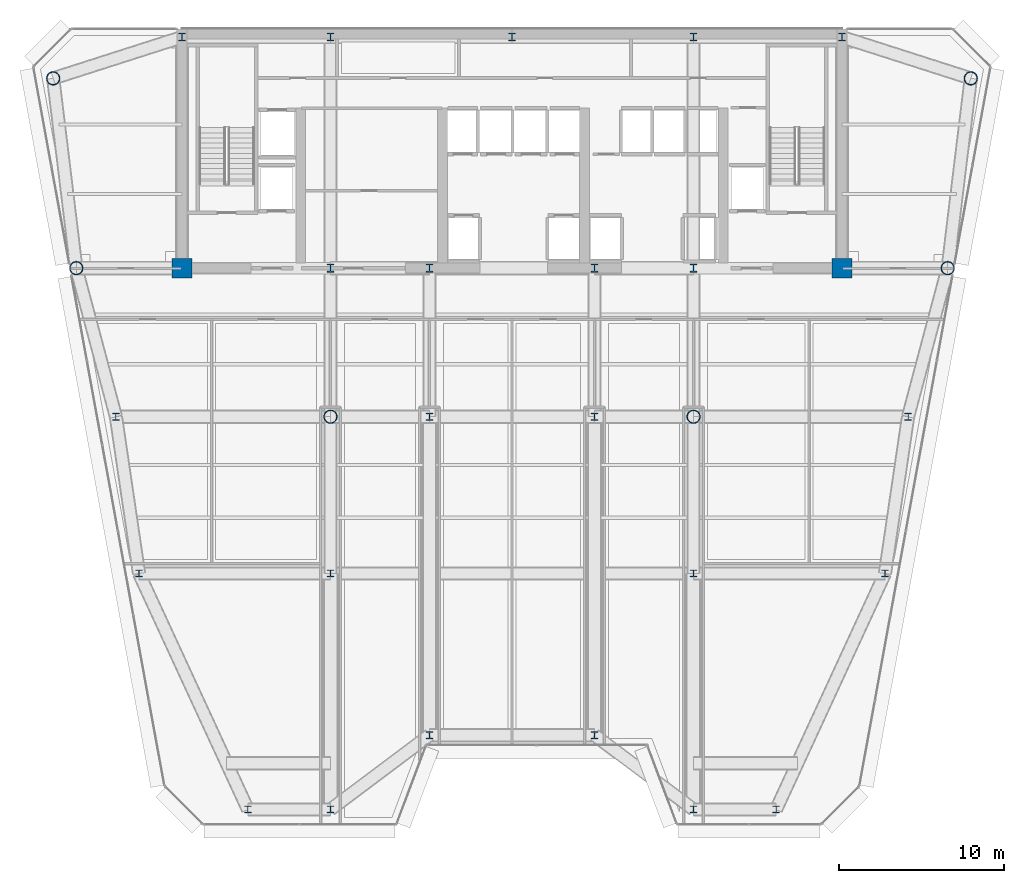
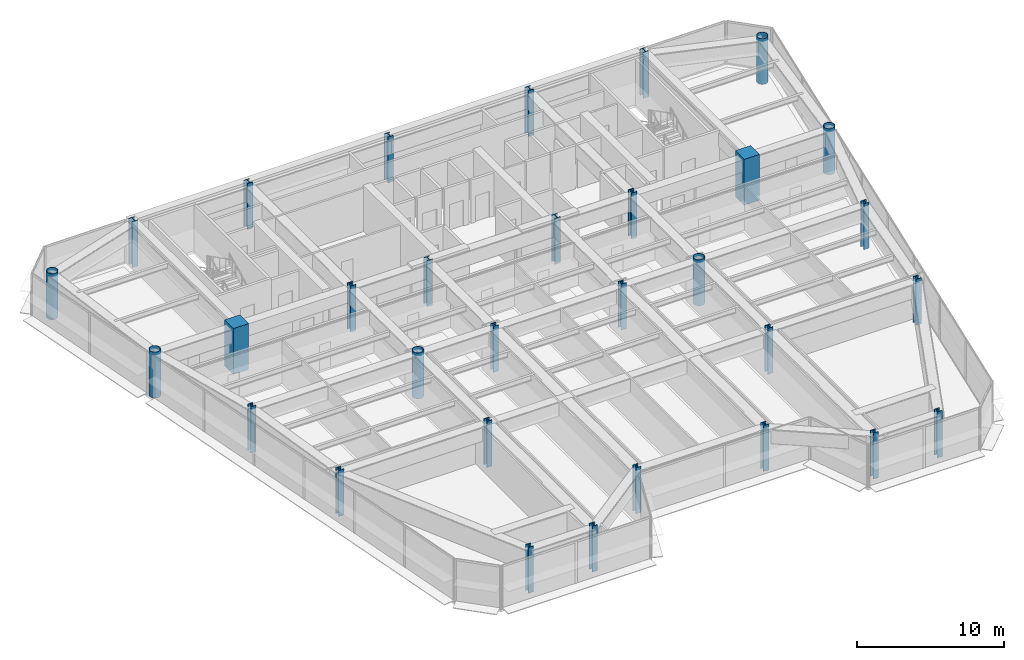
# One storey, part 1 of 17: 31 columns.
"""IFC4 building model written with IfcOpenShell, lengths in metres."""

import ifcopenshell
import ifcopenshell.guid

model = None  # the IFC model being written
_history = None  # IfcOwnerHistory: only IFC2X3 demands one
_inside = {}  # id of a spatial element -> (the spatial element, [elements in it])
_under = {}  # id of a project, library or spatial element -> (it, [spatial elements below it])
_declared = {}  # id of a project -> (the project, [libraries it declares])
_typed = {}  # id of a type object -> (the type object, [elements of that type])
_made_of = {}  # id of a material, layer set ... -> (it, [elements and type objects made of it])


def new_model(schema):
    """Start an empty IFC model of exactly this schema.

    Asked for "IFC4X3", IfcOpenShell would pick the latest addendum, in which some entities
    have other attributes; the version numbers below select the first issue.
    IFC2X3 requires an IfcOwnerHistory on every rooted entity: one is made here for all.
    """
    global model, _history
    if schema == "IFC4X3":
        model = ifcopenshell.file(schema_version=(4, 3, 0, 0))
    else:
        model = ifcopenshell.file(schema=schema)
    _inside.clear()
    _under.clear()
    _declared.clear()
    _typed.clear()
    _made_of.clear()
    _history = None
    if model.schema == "IFC2X3":
        org = make("IfcOrganization", Name="unknown")
        user = make(
            "IfcPersonAndOrganization",
            ThePerson=make("IfcPerson", FamilyName="unknown"),
            TheOrganization=org,
        )
        app = make(
            "IfcApplication",
            ApplicationDeveloper=org,
            Version="unknown",
            ApplicationFullName="unknown",
            ApplicationIdentifier="unknown",
        )
        _history = make(
            "IfcOwnerHistory",
            OwningUser=user,
            OwningApplication=app,
            ChangeAction="ADDED",
            CreationDate=0,
        )
    return model


def make(cls, **values):
    """One entity of the class cls with the attributes given. An attribute that is None is left unset."""
    return model.create_entity(
        cls, **{name: value for name, value in values.items() if value is not None}
    )


def rooted(cls, **values):
    """An entity with a GlobalId (a new one), such as an element, a storey or a relation."""
    return make(cls, GlobalId=ifcopenshell.guid.new(), OwnerHistory=_history, **values)


def si_unit(unit_type, name, prefix=None):
    """IfcSIUnit, for example si_unit("LENGTHUNIT", "METRE", prefix="MILLI")."""
    return make("IfcSIUnit", UnitType=unit_type, Prefix=prefix, Name=name)


def assignment(units):
    """IfcUnitAssignment: the units of a project."""
    return None if units is None else make("IfcUnitAssignment", Units=units)


def point(xyz):
    """IfcCartesianPoint."""
    return None if xyz is None else make("IfcCartesianPoint", Coordinates=xyz)


def direction(xyz):
    """IfcDirection."""
    return None if xyz is None else make("IfcDirection", DirectionRatios=xyz)


def frame(location, z_axis=None, x_axis=None):
    """IfcAxis2Placement3D, a coordinate frame: its origin and axes. An axis left out is left unset."""
    return make(
        "IfcAxis2Placement3D",
        Location=point(location),
        Axis=direction(z_axis),
        RefDirection=direction(x_axis),
    )


def frame_2d(location, x_axis=None):
    """IfcAxis2Placement2D, a coordinate frame in the plane: its origin and x axis."""
    return make(
        "IfcAxis2Placement2D", Location=point(location), RefDirection=direction(x_axis)
    )


def origin():
    """The frame at (0, 0, 0) with its axes left unset."""
    return frame((0.0, 0.0, 0.0))


def origin_2d():
    """The frame at (0, 0) in the plane with its x axis left unset."""
    return frame_2d((0.0, 0.0))


def place(relative_to, where):
    """IfcLocalPlacement: puts the frame where relative to a parent placement (None: the world)."""
    return make(
        "IfcLocalPlacement", PlacementRelTo=relative_to, RelativePlacement=where
    )


def context(
    kind, dimensions, precision=None, world=None, true_north=None, identifier=None
):
    """IfcGeometricRepresentationContext, for example the 3D "Model" context."""
    return make(
        "IfcGeometricRepresentationContext",
        ContextIdentifier=identifier,
        ContextType=kind,
        CoordinateSpaceDimension=dimensions,
        Precision=precision,
        WorldCoordinateSystem=world,
        TrueNorth=true_north,
    )


def subcontext(parent, identifier, kind, view, scale=None):
    """IfcGeometricRepresentationSubContext, for example "Body" below "Model"."""
    return make(
        "IfcGeometricRepresentationSubContext",
        ContextIdentifier=identifier,
        ContextType=kind,
        ParentContext=parent,
        TargetScale=scale,
        TargetView=view,
    )


def project(units=None, contexts=None):
    """IfcProject with its units and contexts."""
    return rooted(
        "IfcProject",
        Name="project",
        RepresentationContexts=contexts,
        UnitsInContext=assignment(units),
    )


def spatial(cls, under=None, at=None, **own):
    """A site, building, storey or space (cls), placed at a placement, below another one or the project."""
    s = rooted(cls, ObjectPlacement=at, **own)
    if under is not None:
        _under.setdefault(under.id(), (under, []))[1].append(s)
    return s


def profile(cls, at=None, kind="AREA", **sizes):
    """A parametric profile (cls). Its sizes go by their IFC names, for example OverallWidth=200.0."""
    return make(cls, ProfileType=kind, Position=at, **sizes)


def rectangle(**sizes):
    """IfcRectangleProfileDef."""
    return profile("IfcRectangleProfileDef", **sizes)


def hollow_circle(**sizes):
    """IfcCircleHollowProfileDef."""
    return profile("IfcCircleHollowProfileDef", **sizes)


def i_section(**sizes):
    """IfcIShapeProfileDef."""
    return profile("IfcIShapeProfileDef", **sizes)


def extrude(swept, where, along, depth):
    """IfcExtrudedAreaSolid: the profile swept, set in the frame where, extruded along a direction by depth."""
    return make(
        "IfcExtrudedAreaSolid",
        SweptArea=swept,
        Position=where,
        ExtrudedDirection=direction(along),
        Depth=depth,
    )


def shape(context_of_items, identifier, shape_type, items):
    """IfcShapeRepresentation: the items that make up one representation, for example the "Body"."""
    return make(
        "IfcShapeRepresentation",
        ContextOfItems=context_of_items,
        RepresentationIdentifier=identifier,
        RepresentationType=shape_type,
        Items=items,
    )


def source(mapping_origin, context_of_items, identifier, shape_type, items):
    """IfcRepresentationMap: a shape defined once, which mapped items show again and again."""
    return make(
        "IfcRepresentationMap",
        MappingOrigin=mapping_origin,
        MappedRepresentation=shape(context_of_items, identifier, shape_type, items),
    )


def transform(
    local_origin,
    x_axis=None,
    y_axis=None,
    z_axis=None,
    scale=None,
    scale2=None,
    scale3=None,
    uniform=True,
):
    """IfcCartesianTransformationOperator3D, or its non-uniform kind. x_axis, y_axis, z_axis: its Axis1, 2, 3."""
    if uniform:
        return make(
            "IfcCartesianTransformationOperator3D",
            Axis1=direction(x_axis),
            Axis2=direction(y_axis),
            LocalOrigin=point(local_origin),
            Scale=scale,
            Axis3=direction(z_axis),
        )
    return make(
        "IfcCartesianTransformationOperator3DnonUniform",
        Axis1=direction(x_axis),
        Axis2=direction(y_axis),
        LocalOrigin=point(local_origin),
        Scale=scale,
        Axis3=direction(z_axis),
        Scale2=scale2,
        Scale3=scale3,
    )


def mapped(mapping_source, mapping_target):
    """IfcMappedItem: shows the shape of a source again, moved by a transform."""
    return make(
        "IfcMappedItem", MappingSource=mapping_source, MappingTarget=mapping_target
    )


def material(Name=None, Category=None):
    """IfcMaterial."""
    return make("IfcMaterial", Name=Name, Category=Category)


def material_profile(
    of_material, cross_section, Name=None, Category=None, Priority=None
):
    """IfcMaterialProfile: a cross section and its material."""
    return make(
        "IfcMaterialProfile",
        Name=Name,
        Material=of_material,
        Profile=cross_section,
        Priority=Priority,
        Category=Category,
    )


def profile_set(profiles, Name=None, composite=None):
    """IfcMaterialProfileSet."""
    return make(
        "IfcMaterialProfileSet",
        Name=Name,
        MaterialProfiles=profiles,
        CompositeProfile=composite,
    )


def made_of(thing, what):
    """Note that an element or type object is made of a material, layer set ...; save() writes the relation."""
    if what is not None:
        _made_of.setdefault(what.id(), (what, []))[1].append(thing)
    return thing


def type_object(cls, material=None, **own):
    """A type object (cls), such as IfcWallType, which elements share."""
    return made_of(rooted(cls, **own), material)


def element(
    cls,
    number,
    at=None,
    inside=None,
    cuts=None,
    type_object=None,
    material=None,
    context=None,
    identifier="Body",
    shape_type=None,
    held_by="IfcProductDefinitionShape",
    body=None,
    shapes=None,
    **own,
):
    """One element of the class cls, such as IfcWall. Its Tag is "e" and its number.

    at: its placement. inside: the storey or other place that contains it. cuts: it is an
    opening in that element (IfcRelVoidsElement). A single representation is given by context,
    identifier, shape_type and body (its items); several are given by shapes. held_by: the class
    of the entity that holds the representations. save() writes the other relations.
    """
    e = rooted(cls, Tag="e%d" % number, ObjectPlacement=at, **own)
    if body is not None:
        shapes = [shape(context, identifier, shape_type, body)]
    if shapes is not None:
        e.Representation = make(held_by, Representations=shapes)
    if inside is not None:
        _inside.setdefault(inside.id(), (inside, []))[1].append(e)
    if cuts is not None:
        rooted(
            "IfcRelVoidsElement", RelatingBuildingElement=cuts, RelatedOpeningElement=e
        )
    if type_object is not None:
        _typed.setdefault(type_object.id(), (type_object, []))[1].append(e)
    return made_of(e, material)


def aggregate(whole, parts):
    """IfcRelAggregates: a whole, such as a stair, and the parts it consists of."""
    return rooted("IfcRelAggregates", RelatingObject=whole, RelatedObjects=parts)


def save(model, path):
    """Write the relations noted so far, then the file.

    IfcRelAggregates (storeys below a building ...), IfcRelContainedInSpatialStructure (elements
    in a storey), IfcRelDefinesByType, IfcRelAssociatesMaterial and IfcRelDeclares: one each for
    every whole, place, type object, material and project.
    """
    for whole, parts in _under.values():
        aggregate(whole, parts)
    for where, things in _inside.values():
        rooted(
            "IfcRelContainedInSpatialStructure",
            RelatedElements=things,
            RelatingStructure=where,
        )
    for kind, things in _typed.values():
        rooted("IfcRelDefinesByType", RelatedObjects=things, RelatingType=kind)
    for what, things in _made_of.values():
        rooted("IfcRelAssociatesMaterial", RelatedObjects=things, RelatingMaterial=what)
    for by, libraries in _declared.values():
        rooted("IfcRelDeclares", RelatingContext=by, RelatedDefinitions=libraries)
    model.write(path)


model = new_model("IFC4")

# Units and contexts
model_context = context("Model", 3, precision=1e-05, world=origin(), true_north=direction((0.0, 1.0)))
body_context = subcontext(model_context, "Body", "Model", "MODEL_VIEW")
ifc_project = project(units=[si_unit("LENGTHUNIT", "METRE"), si_unit("AREAUNIT", "SQUARE_METRE"), si_unit("VOLUMEUNIT", "CUBIC_METRE"), si_unit("PLANEANGLEUNIT", "RADIAN"), si_unit("MASSUNIT", "GRAM", prefix="KILO")], contexts=[model_context])

# Site, building, storey
site_placement = place(None, origin())
site = spatial("IfcSite", under=ifc_project, at=site_placement, CompositionType="ELEMENT")
building_placement = place(site_placement, origin())
building = spatial("IfcBuilding", under=site, at=building_placement, Name="Vaeldorn Concourse Tower", CompositionType="ELEMENT")
storey_placement = place(building_placement, frame((0.0, 0.0, 176.60009765625)))
storey = spatial("IfcBuildingStorey", under=building, at=storey_placement, Name="L45", CompositionType="ELEMENT", Elevation=176.60009765625)

# Columns
ifc_material_1 = material(Name="Concrete C50/60", Category="concrete")
ifc_material_profile_1 = material_profile(ifc_material_1, rectangle(XDim=1.199951171875, YDim=1.199951171875, at=origin_2d()), Name="RC 1200x1200")
ifc_profile_set_1 = profile_set([ifc_material_profile_1], Name="Concrete C50/60")
column_type_1 = type_object("IfcColumnType", Name="COL-RC1200", PredefinedType="COLUMN", material=ifc_profile_set_1)
shared_shape_1 = source(origin(), body_context, "Body", "SweptSolid", [
    extrude(rectangle(XDim=1.199951171875, YDim=1.199951171875, at=origin_2d()), origin(), (0.0, 0.0, 1.0), 3.7998046875),
])
for number, where, z_axis, x_axis, name in (
    (1, (14.0, 36.5, 0.0), (0.0, 0.0, 1.0), (1.0, 0.0, 0.0), "Column C-FC1 L45"),
    (2, (54.0, 36.5, 0.0), (0.0, 0.0, 1.0), (1.0, 0.0, 0.0), "Column C-FC6 L45"),
):
    element("IfcColumn", number, at=place(storey_placement, frame(where, z_axis=z_axis, x_axis=x_axis)), inside=storey, type_object=column_type_1, Name=name, PredefinedType="COLUMN", context=body_context, shape_type="MappedRepresentation", body=[
        mapped(shared_shape_1, transform((0.0, 0.0, 0.0), scale=1.0)),
    ])
ifc_material_2 = material(Name="Steel S460", Category="steel")
ifc_material_profile_2 = material_profile(ifc_material_2, i_section(OverallWidth=0.431884765625, OverallDepth=0.498046875, WebThickness=0.054931640625, FlangeThickness=0.068115234375, FilletRadius=0.014892578125, at=origin_2d()), Name="HD 400x744")
ifc_profile_set_2 = profile_set([ifc_material_profile_2], Name="Steel S460")
column_type_2 = type_object("IfcColumnType", Name="COL-HD744", PredefinedType="COLUMN", material=ifc_profile_set_2)
shared_shape_2 = source(origin(), body_context, "Body", "SweptSolid", [
    extrude(i_section(OverallWidth=0.431884765625, OverallDepth=0.498046875, WebThickness=0.054931640625, FlangeThickness=0.068115234375, FilletRadius=0.014892578125, at=origin_2d()), origin(), (0.0, 0.0, 1.0), 3.7998046875),
])
for number, where, z_axis, x_axis, name in (
    (3, (23.0, 36.5, 0.0), (0.0, 0.0, 1.0), (1.0, 0.0, 0.0), "Column C-FC2 L45"),
    (4, (29.0, 36.5, 0.0), (0.0, 0.0, 1.0), (1.0, 0.0, 0.0), "Column C-FC3 L45"),
    (5, (39.0, 36.5, 0.0), (0.0, 0.0, 1.0), (1.0, 0.0, 0.0), "Column C-FC4 L45"),
    (6, (45.0, 36.5, 0.0), (0.0, 0.0, 1.0), (1.0, 0.0, 0.0), "Column C-FC5 L45"),
    (7, (14.0, 50.5, 0.0), (0.0, 0.0, 1.0), (1.0, 0.0, 0.0), "Column C-HC1 L45"),
    (8, (23.0, 50.5, 0.0), (0.0, 0.0, 1.0), (1.0, 0.0, 0.0), "Column C-HC2 L45"),
    (9, (34.0, 50.5, 0.0), (0.0, 0.0, 1.0), (1.0, 0.0, 0.0), "Column C-HC3 L45"),
    (10, (45.0, 50.5, 0.0), (0.0, 0.0, 1.0), (1.0, 0.0, 0.0), "Column C-HC4 L45"),
    (11, (54.0, 50.5, 0.0), (0.0, 0.0, 1.0), (1.0, 0.0, 0.0), "Column C-HC5 L45"),
):
    element("IfcColumn", number, at=place(storey_placement, frame(where, z_axis=z_axis, x_axis=x_axis)), inside=storey, type_object=column_type_2, Name=name, PredefinedType="COLUMN", context=body_context, shape_type="MappedRepresentation", body=[
        mapped(shared_shape_2, transform((0.0, 0.0, 0.0), scale=1.0)),
    ])
ifc_material_profile_3 = material_profile(ifc_material_2, hollow_circle(Radius=0.406494140625, WallThickness=0.0400390625, at=origin_2d()), Name="CHS 813x40")
ifc_profile_set_3 = profile_set([ifc_material_profile_3], Name="Steel S460")
column_type_3 = type_object("IfcColumnType", Name="COL-CHS813", PredefinedType="COLUMN", material=ifc_profile_set_3)
shared_shape_3 = source(origin(), body_context, "Body", "SweptSolid", [
    extrude(hollow_circle(Radius=0.406494140625, WallThickness=0.0400390625, at=origin_2d()), origin(), (0.0, 0.0, 1.0), 3.7998046875),
])
for number, where, z_axis, x_axis, name in (
    (12, (6.199951171875, 48.0, 0.0), (0.0, 0.0, 1.0), (1.0, 0.0, 0.0), "Column C-NW1 L45"),
    (13, (7.60009765625, 36.5, 0.0), (0.0, 0.0, 1.0), (1.0, 0.0, 0.0), "Column C-NW2 L45"),
    (14, (61.800048828125, 48.0, 0.0), (0.0, 0.0, 1.0), (1.0, 0.0, 0.0), "Column C-NE1 L45"),
    (15, (60.39990234375, 36.5, 0.0), (0.0, 0.0, 1.0), (1.0, 0.0, 0.0), "Column C-NE2 L45"),
    (16, (23.0, 27.5, 0.0), (0.0, 0.0, 1.0), (1.0, 0.0, 0.0), "Column C-TW1 L45"),
    (17, (45.0, 27.5, 0.0), (0.0, 0.0, 1.0), (1.0, 0.0, 0.0), "Column C-TW4 L45"),
):
    element("IfcColumn", number, at=place(storey_placement, frame(where, z_axis=z_axis, x_axis=x_axis)), inside=storey, type_object=column_type_3, Name=name, PredefinedType="COLUMN", context=body_context, shape_type="MappedRepresentation", body=[
        mapped(shared_shape_3, transform((0.0, 0.0, 0.0), scale=1.0)),
    ])
ifc_material_3 = material(Name="Steel S355", Category="steel")
ifc_material_profile_4 = material_profile(ifc_material_3, i_section(OverallWidth=0.412109375, OverallDepth=0.43505859375, WebThickness=0.035888671875, FlangeThickness=0.050048828125, FilletRadius=0.014892578125, at=origin_2d()), Name="HD 400x463")
ifc_profile_set_4 = profile_set([ifc_material_profile_4], Name="Steel S355")
column_type_4 = type_object("IfcColumnType", Name="COL-HD463F", PredefinedType="COLUMN", material=ifc_profile_set_4)
shared_shape_4 = source(origin(), body_context, "Body", "SweptSolid", [
    extrude(i_section(OverallWidth=0.412109375, OverallDepth=0.43505859375, WebThickness=0.035888671875, FlangeThickness=0.050048828125, FilletRadius=0.014892578125, at=origin_2d()), origin(), (0.0, 0.0, 1.0), 3.7998046875),
])
for number, where, z_axis, x_axis, name in (
    (18, (10.0, 27.5, 0.0), (0.0, 0.0, 1.0), (1.0, 0.0, 0.0), "Column C-FLW1 L45"),
    (19, (11.39990234375, 18.0, 0.0), (0.0, 0.0, 1.0), (1.0, 0.0, 0.0), "Column C-FLW2 L45"),
    (20, (58.0, 27.5, 0.0), (0.0, 0.0, 1.0), (1.0, 0.0, 0.0), "Column C-FLE1 L45"),
    (21, (56.60009765625, 18.0, 0.0), (0.0, 0.0, 1.0), (1.0, 0.0, 0.0), "Column C-FLE2 L45"),
):
    element("IfcColumn", number, at=place(storey_placement, frame(where, z_axis=z_axis, x_axis=x_axis)), inside=storey, type_object=column_type_4, Name=name, PredefinedType="COLUMN", context=body_context, shape_type="MappedRepresentation", body=[
        mapped(shared_shape_4, transform((0.0, 0.0, 0.0), scale=1.0)),
    ])
ifc_material_profile_5 = material_profile(ifc_material_3, i_section(OverallWidth=0.412109375, OverallDepth=0.43505859375, WebThickness=0.035888671875, FlangeThickness=0.050048828125, FilletRadius=0.014892578125, at=origin_2d()), Name="HD 400x463")
ifc_profile_set_5 = profile_set([ifc_material_profile_5], Name="Steel S355")
column_type_5 = type_object("IfcColumnType", Name="COL-HD463T", PredefinedType="COLUMN", material=ifc_profile_set_5)
shared_shape_5 = source(origin(), body_context, "Body", "SweptSolid", [
    extrude(i_section(OverallWidth=0.412109375, OverallDepth=0.43505859375, WebThickness=0.035888671875, FlangeThickness=0.050048828125, FilletRadius=0.014892578125, at=origin_2d()), origin(), (0.0, 0.0, 1.0), 3.7998046875),
])
for number, where, z_axis, x_axis, name in (
    (22, (29.0, 27.5, 0.0), (0.0, 0.0, 1.0), (1.0, 0.0, 0.0), "Column C-TW2 L45"),
    (23, (39.0, 27.5, 0.0), (0.0, 0.0, 1.0), (1.0, 0.0, 0.0), "Column C-TW3 L45"),
    (24, (23.0, 18.0, 0.0), (0.0, 0.0, 1.0), (1.0, 0.0, 0.0), "Column C-TW5 L45"),
    (25, (45.0, 18.0, 0.0), (0.0, 0.0, 1.0), (1.0, 0.0, 0.0), "Column C-TW6 L45"),
    (26, (18.0, 3.699951171875, 0.0), (0.0, 0.0, 1.0), (1.0, 0.0, 0.0), "Column C-SF1 L45"),
    (27, (23.0, 3.699951171875, 0.0), (0.0, 0.0, 1.0), (1.0, 0.0, 0.0), "Column C-SF2 L45"),
    (28, (29.0, 8.199951171875, 0.0), (0.0, 0.0, 1.0), (1.0, 0.0, 0.0), "Column C-SF3 L45"),
    (29, (39.0, 8.199951171875, 0.0), (0.0, 0.0, 1.0), (1.0, 0.0, 0.0), "Column C-SF4 L45"),
    (30, (45.0, 3.699951171875, 0.0), (0.0, 0.0, 1.0), (1.0, 0.0, 0.0), "Column C-SF5 L45"),
    (31, (50.0, 3.699951171875, 0.0), (0.0, 0.0, 1.0), (1.0, 0.0, 0.0), "Column C-SF6 L45"),
):
    element("IfcColumn", number, at=place(storey_placement, frame(where, z_axis=z_axis, x_axis=x_axis)), inside=storey, type_object=column_type_5, Name=name, PredefinedType="COLUMN", context=body_context, shape_type="MappedRepresentation", body=[
        mapped(shared_shape_5, transform((0.0, 0.0, 0.0), scale=1.0)),
    ])

save(model, "model.ifc")
